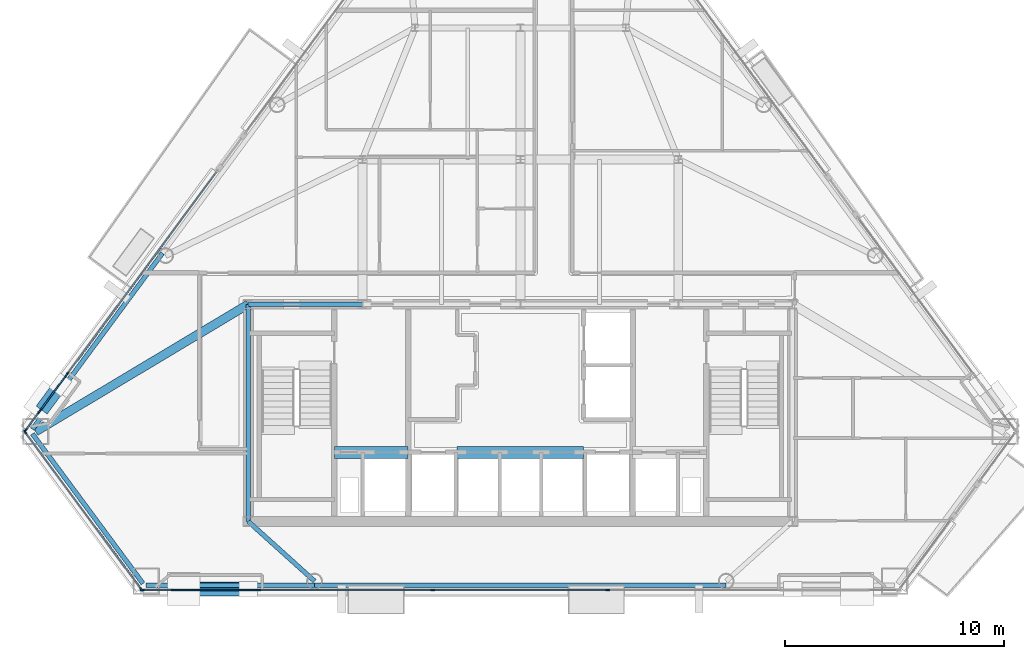
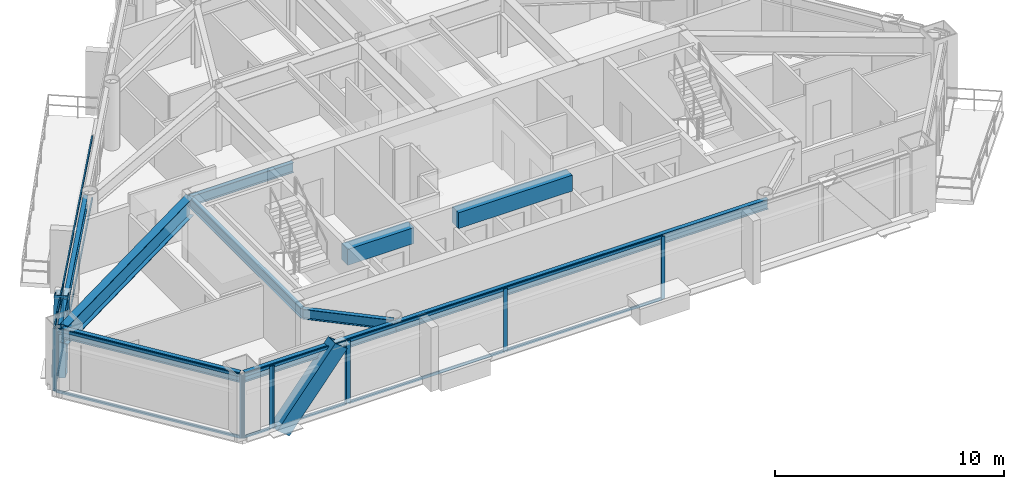
# One storey, part 3 of 13: 32 members, 10 beams, 7 elements without a shape of their own.
"""IFC4 building model written with IfcOpenShell, lengths in metres."""

from ifc_helpers import new_model, si_unit, direction, frame, origin, origin_2d, place, context, subcontext, project, spatial, rectangle, hollow_rectangle, i_section, extrude, material, layer, layer_set, material_profile, profile_set, type_object, element, aggregate, save


model = new_model("IFC4")

# Units and contexts
model_context = context("Model", 3, precision=1e-05, world=origin(), true_north=direction((0.0, 1.0)))
body_context = subcontext(model_context, "Body", "Model", "MODEL_VIEW")
ifc_project = project(units=[si_unit("LENGTHUNIT", "METRE"), si_unit("AREAUNIT", "SQUARE_METRE"), si_unit("VOLUMEUNIT", "CUBIC_METRE"), si_unit("PLANEANGLEUNIT", "RADIAN"), si_unit("MASSUNIT", "GRAM", prefix="KILO")], contexts=[model_context])

# Site, building, storey
site_placement = place(None, origin())
site = spatial("IfcSite", under=ifc_project, at=site_placement, CompositionType="ELEMENT")
building_placement = place(site_placement, origin())
building = spatial("IfcBuilding", under=site, at=building_placement, Name="Talgorran Terracotta Tower", CompositionType="ELEMENT")
storey_placement = place(building_placement, frame((0.0, 0.0, 132.89990234375)))
storey = spatial("IfcBuildingStorey", under=building, at=storey_placement, Name="L34", CompositionType="ELEMENT", Elevation=132.89990234375)

# Beams
ifc_material_1 = material(Name="Steel Grade 350 (350L0)", Category="steel")
ifc_material_profile_1 = material_profile(ifc_material_1, i_section(OverallWidth=0.39990234375, OverallDepth=1.0, WebThickness=0.01611328125, FlangeThickness=0.031005859375, at=origin_2d()), Name="1000WB296")
ifc_profile_set_1 = profile_set([ifc_material_profile_1], Name="Steel Grade 350 (350L0)")
beam_type_1 = type_object("IfcBeamType", Name="BM_1000WB296", PredefinedType="BEAM", material=ifc_profile_set_1)
beam_1_placement = place(storey_placement, frame((-12.39990234375, -4.199951171875, 2.85009765625), z_axis=(-0.858174722871, -0.513357716436, 0.0), x_axis=(0.513357716436, -0.858174722871, 0.0)))
element("IfcBeam", 1, at=beam_1_placement, inside=storey, type_object=beam_type_1, Name="L34 Floor Girder G17", PredefinedType="BEAM", context=body_context, shape_type="SweptSolid", body=[
    extrude(i_section(OverallWidth=0.39990234375, OverallDepth=1.0, WebThickness=0.01611328125, FlangeThickness=0.031005859375, at=origin_2d()), origin(), (0.0, 0.0, 1.0), 11.298828125),
])
ifc_material_2 = material(Name="Concrete C50/60", Category="concrete")
ifc_material_profile_2 = material_profile(ifc_material_2, rectangle(XDim=0.550048828125, YDim=0.85009765625, at=origin_2d()), Name="RCCB550X850")
ifc_profile_set_2 = profile_set([ifc_material_profile_2], Name="Concrete C50/60")
beam_type_2 = type_object("IfcBeamType", Name="BM_CB_550X850", PredefinedType="LINTEL", material=ifc_profile_set_2)
beam_2_placement = place(storey_placement, frame((-8.47998046875, -10.949951171875, 2.925048828125), z_axis=(1.0, 0.0, 0.0), x_axis=(0.0, 1.0, 0.0)))
element("IfcBeam", 2, at=beam_2_placement, inside=storey, type_object=beam_type_2, Name="L34 Core Shear-Wall Coupling Beam CB1", PredefinedType="LINTEL", context=body_context, shape_type="SweptSolid", body=[
    extrude(rectangle(XDim=0.550048828125, YDim=0.85009765625, at=origin_2d()), origin(), (0.0, 0.0, 1.0), 3.35986328125),
])
beam_3_placement = place(storey_placement, frame((-2.8798828125, -10.949951171875, 2.925048828125), z_axis=(1.0, 0.0, 0.0), x_axis=(0.0, 1.0, 0.0)))
element("IfcBeam", 3, at=beam_3_placement, inside=storey, type_object=beam_type_2, Name="L34 Core Shear-Wall Coupling Beam CB2", PredefinedType="LINTEL", context=body_context, shape_type="SweptSolid", body=[
    extrude(rectangle(XDim=0.550048828125, YDim=0.85009765625, at=origin_2d()), origin(), (0.0, 0.0, 1.0), 5.759765625),
])
ifc_material_3 = material(Name="Steel S355 (300PLUS)", Category="steel")
ifc_material_profile_3 = material_profile(ifc_material_3, i_section(OverallWidth=0.209228515625, OverallDepth=0.532958984375, WebThickness=0.01025390625, FlangeThickness=0.015625, at=origin_2d()), Name="530UB92.4")
ifc_profile_set_3 = profile_set([ifc_material_profile_3], Name="Steel S355 (300PLUS)")
beam_type_3 = type_object("IfcBeamType", Name="BM_SP_530UB92", PredefinedType="SPANDREL", material=ifc_profile_set_3)
beam_4_placement = place(storey_placement, frame((-22.2412109375, -10.107177734375, 3.08349609375), z_axis=(0.594369201234, -0.804192298288, 0.0), x_axis=(0.804192298288, 0.594369201234, 0.0)))
element("IfcBeam", 4, at=beam_4_placement, inside=storey, type_object=beam_type_3, Name="L34 Perimeter Spandrel Beam MC1-MC2", PredefinedType="SPANDREL", context=body_context, shape_type="SweptSolid", body=[
    extrude(i_section(OverallWidth=0.209228515625, OverallDepth=0.532958984375, WebThickness=0.01025390625, FlangeThickness=0.015625, at=origin_2d()), origin(), (0.0, 0.0, 1.0), 8.478759765625),
])
beam_5_placement = place(storey_placement, frame((-17.056884765625, -16.998779296875, 3.08349609375), z_axis=(1.0, 0.0, 0.0), x_axis=(0.0, 1.0, 0.0)))
element("IfcBeam", 5, at=beam_5_placement, inside=storey, type_object=beam_type_3, Name="L34 Perimeter Spandrel Beam MC2-FC1", PredefinedType="SPANDREL", context=body_context, shape_type="SweptSolid", body=[
    extrude(i_section(OverallWidth=0.209228515625, OverallDepth=0.532958984375, WebThickness=0.01025390625, FlangeThickness=0.015625, at=origin_2d()), origin(), (0.0, 0.0, 1.0), 7.67578125),
])
beam_6_placement = place(storey_placement, frame((-9.381103515625, -16.998779296875, 3.08349609375), z_axis=(1.0, 0.0, 0.0), x_axis=(0.0, 1.0, 0.0)))
element("IfcBeam", 6, at=beam_6_placement, inside=storey, type_object=beam_type_3, Name="L34 Perimeter Spandrel Beam FC1-FC2", PredefinedType="SPANDREL", context=body_context, shape_type="SweptSolid", body=[
    extrude(i_section(OverallWidth=0.209228515625, OverallDepth=0.532958984375, WebThickness=0.01025390625, FlangeThickness=0.015625, at=origin_2d()), origin(), (0.0, 0.0, 1.0), 18.76220703125),
])
beam_7_placement = place(storey_placement, frame((-16.31396484375, -1.873291015625, 3.08349609375), z_axis=(-0.594352513119, -0.804204632011, 0.0), x_axis=(0.804204632011, -0.594352513119, 0.0)))
element("IfcBeam", 7, at=beam_7_placement, inside=storey, type_object=beam_type_3, Name="L34 Perimeter Spandrel Beam FC6-MC1", PredefinedType="SPANDREL", context=body_context, shape_type="SweptSolid", body=[
    extrude(i_section(OverallWidth=0.209228515625, OverallDepth=0.532958984375, WebThickness=0.01025390625, FlangeThickness=0.015625, at=origin_2d()), origin(), (0.0, 0.0, 1.0), 9.97265625),
])
beam_8_placement = place(storey_placement, frame((-9.381103515625, -16.81884765625, 3.08349609375), z_axis=(-0.74306999476, 0.669213704945, 0.0), x_axis=(-0.669213704945, -0.74306999476, 0.0)))
element("IfcBeam", 8, at=beam_8_placement, inside=storey, type_object=beam_type_3, Name="L34 South-West Core Tie Beam", PredefinedType="SPANDREL", context=body_context, shape_type="SweptSolid", body=[
    extrude(i_section(OverallWidth=0.209228515625, OverallDepth=0.532958984375, WebThickness=0.01025390625, FlangeThickness=0.015625, at=origin_2d()), origin(), (0.0, 0.0, 1.0), 4.0625),
])
beam_9_placement = place(storey_placement, frame((-12.39990234375, -14.10009765625, 3.08349609375), z_axis=(0.0, 1.0, 0.0), x_axis=(-1.0, 0.0, 0.0)))
element("IfcBeam", 9, at=beam_9_placement, inside=storey, type_object=beam_type_3, Name="L34 Core Frame Beam CFW", PredefinedType="SPANDREL", context=body_context, shape_type="SweptSolid", body=[
    extrude(i_section(OverallWidth=0.209228515625, OverallDepth=0.532958984375, WebThickness=0.01025390625, FlangeThickness=0.015625, at=origin_2d()), origin(), (0.0, 0.0, 1.0), 9.900146484375),
])
beam_10_placement = place(storey_placement, frame((-12.39990234375, -4.199951171875, 3.08349609375), z_axis=(1.0, 0.0, 0.0), x_axis=(0.0, 1.0, 0.0)))
element("IfcBeam", 10, at=beam_10_placement, inside=storey, type_object=beam_type_3, Name="L34 Core Frame Beam CFN1", PredefinedType="SPANDREL", context=body_context, shape_type="SweptSolid", body=[
    extrude(i_section(OverallWidth=0.209228515625, OverallDepth=0.532958984375, WebThickness=0.01025390625, FlangeThickness=0.015625, at=origin_2d()), origin(), (0.0, 0.0, 1.0), 5.199951171875),
])

# Members
ifc_material_profile_4 = material_profile(ifc_material_1, hollow_rectangle(XDim=0.6201171875, YDim=0.780029296875, WallThickness=0.0419921875, at=origin_2d()), Name="WBOX780X620X42")
ifc_profile_set_4 = profile_set([ifc_material_profile_4], Name="Steel Grade 350 (350L0)")
member_type_1 = type_object("IfcMemberType", Name="MB_MEGA_780", PredefinedType="BRACE", material=ifc_profile_set_4)
member_1_placement = place(storey_placement, frame((-15.34228515625, -17.178955078125, -0.27001953125), z_axis=(0.626602917494, 0.0, 0.779338683621), x_axis=(0.0, 1.0, 0.0)))
element("IfcMember", 11, at=member_1_placement, inside=storey, type_object=member_type_1, Name="L34 Exterior Face Mega-Brace MB-2 (SWF)", PredefinedType="BRACE", context=body_context, shape_type="SweptSolid", body=[
    extrude(hollow_rectangle(XDim=0.6201171875, YDim=0.780029296875, WallThickness=0.0419921875, at=origin_2d()), origin(), (0.0, 0.0, 1.0), 4.677001953125),
])
member_2_placement = place(storey_placement, frame((-21.597900390625, -8.72021484375, -0.27001953125), z_axis=(0.167533039837, 0.226719050459, 0.959443147207), x_axis=(-0.804247199426, 0.594294911821, 0.0)))
element("IfcMember", 12, at=member_2_placement, inside=storey, type_object=member_type_1, Name="L34 Exterior Face Mega-Brace MB-2 (NWL)", PredefinedType="BRACE", context=body_context, shape_type="SweptSolid", body=[
    extrude(hollow_rectangle(XDim=0.6201171875, YDim=0.780029296875, WallThickness=0.0419921875, at=origin_2d()), origin(), (0.0, 0.0, 1.0), 3.799072265625),
])

# Curtain wall, members
ifc_material_4 = material(Name="Unitised Low-E Double Glazing", Category="glass")
ifc_layer = layer(ifc_material_4, 0.199951171875, Name="CW_SYS2_RES_LOW")
ifc_layer_set = layer_set([ifc_layer], Name="Unitised Low-E Double Glazing")
curtain_wall_type = type_object("IfcCurtainWallType", Name="CW_SYS2_RES_LOW", PredefinedType="NOTDEFINED", material=ifc_layer_set)
curtain_wall_1_placement = place(storey_placement, origin())
curtain_wall_1 = element("IfcCurtainWall", 13, at=curtain_wall_1_placement, inside=storey, type_object=curtain_wall_type, Name="CW-L34-F0", PredefinedType="NOTDEFINED")
ifc_material_5 = material(Name="Architectural Aluminium 6063-T6", Category="aluminium")
ifc_material_profile_5 = material_profile(ifc_material_5, rectangle(XDim=0.06494140625, YDim=0.18505859375, at=origin_2d()), Name="CWM65X185")
ifc_profile_set_5 = profile_set([ifc_material_profile_5], Name="Architectural Aluminium 6063-T6")
member_type_2 = type_object("IfcMemberType", Name="MUL_65X185", PredefinedType="MULLION", material=ifc_profile_set_5)
member_3_placement = place(storey_placement, frame((-22.574462890625, -10.0263671875, 0.0), z_axis=(0.0, 0.0, 1.0), x_axis=(0.80420068261, 0.594357856926, 0.0)))
member_3 = element("IfcMember", 14, at=member_3_placement, type_object=member_type_2, Name="CW-L34-0 mullion 1", PredefinedType="MULLION", context=body_context, shape_type="SweptSolid", body=[
    extrude(rectangle(XDim=0.06494140625, YDim=0.18505859375, at=origin_2d()), origin(), (0.0, 0.0, 1.0), 3.35009765625),
])
member_4_placement = place(storey_placement, frame((-17.27783203125, -17.19287109375, 0.0), z_axis=(0.0, 0.0, 1.0), x_axis=(0.80420068261, 0.594357856926, 0.0)))
member_4 = element("IfcMember", 15, at=member_4_placement, type_object=member_type_2, Name="CW-L34-0 mullion 2", PredefinedType="MULLION", context=body_context, shape_type="SweptSolid", body=[
    extrude(rectangle(XDim=0.06494140625, YDim=0.18505859375, at=origin_2d()), origin(), (0.0, 0.0, 1.0), 3.35009765625),
])

curtain_wall_2_placement = place(storey_placement, origin())
curtain_wall_2 = element("IfcCurtainWall", 16, at=curtain_wall_2_placement, inside=storey, type_object=curtain_wall_type, Name="CW-L34-F1", PredefinedType="NOTDEFINED")
member_5_placement = place(storey_placement, frame((-17.22607421875, -17.218994140625, 0.0), z_axis=(0.0, 0.0, 1.0), x_axis=(0.0, 1.0, 0.0)))
member_5 = element("IfcMember", 17, at=member_5_placement, type_object=member_type_2, Name="CW-L34-1 mullion 1", PredefinedType="MULLION", context=body_context, shape_type="SweptSolid", body=[
    extrude(rectangle(XDim=0.06494140625, YDim=0.18505859375, at=origin_2d()), origin(), (0.0, 0.0, 1.0), 3.35009765625),
])
member_6_placement = place(storey_placement, frame((-15.81298828125, -17.218994140625, 0.0), z_axis=(0.0, 0.0, 1.0), x_axis=(0.0, 1.0, 0.0)))
member_6 = element("IfcMember", 18, at=member_6_placement, type_object=member_type_2, Name="CW-L34-1 mullion 2", PredefinedType="MULLION", context=body_context, shape_type="SweptSolid", body=[
    extrude(rectangle(XDim=0.06494140625, YDim=0.18505859375, at=origin_2d()), origin(), (0.0, 0.0, 1.0), 3.35009765625),
])

curtain_wall_3_placement = place(storey_placement, origin())
curtain_wall_3 = element("IfcCurtainWall", 19, at=curtain_wall_3_placement, inside=storey, type_object=curtain_wall_type, Name="CW-L34-F1B", PredefinedType="NOTDEFINED")
member_7_placement = place(storey_placement, frame((-15.738037109375, -17.218994140625, 0.0), z_axis=(0.0, 0.0, 1.0), x_axis=(0.0, 1.0, 0.0)))
member_7 = element("IfcMember", 20, at=member_7_placement, type_object=member_type_2, Name="CW-L34-1B mullion 1", PredefinedType="MULLION", context=body_context, shape_type="SweptSolid", body=[
    extrude(rectangle(XDim=0.06494140625, YDim=0.18505859375, at=origin_2d()), origin(), (0.0, 0.0, 1.0), 3.35009765625),
])
member_8_placement = place(storey_placement, frame((-11.9951171875, -17.218994140625, 0.0), z_axis=(0.0, 0.0, 1.0), x_axis=(0.0, 1.0, 0.0)))
member_8 = element("IfcMember", 21, at=member_8_placement, type_object=member_type_2, Name="CW-L34-1B mullion 2", PredefinedType="MULLION", context=body_context, shape_type="SweptSolid", body=[
    extrude(rectangle(XDim=0.06494140625, YDim=0.18505859375, at=origin_2d()), origin(), (0.0, 0.0, 1.0), 3.35009765625),
])

curtain_wall_4_placement = place(storey_placement, origin())
curtain_wall_4 = element("IfcCurtainWall", 22, at=curtain_wall_4_placement, inside=storey, type_object=curtain_wall_type, Name="CW-L34-F1C", PredefinedType="NOTDEFINED")
member_9_placement = place(storey_placement, frame((-11.920166015625, -17.218994140625, 0.0), z_axis=(0.0, 0.0, 1.0), x_axis=(0.0, 1.0, 0.0)))
member_9 = element("IfcMember", 23, at=member_9_placement, type_object=member_type_2, Name="CW-L34-1C mullion 1", PredefinedType="MULLION", context=body_context, shape_type="SweptSolid", body=[
    extrude(rectangle(XDim=0.06494140625, YDim=0.18505859375, at=origin_2d()), origin(), (0.0, 0.0, 1.0), 3.35009765625),
])
member_10_placement = place(storey_placement, frame((-3.984130859375, -17.218994140625, 0.0), z_axis=(0.0, 0.0, 1.0), x_axis=(0.0, 1.0, 0.0)))
member_10 = element("IfcMember", 24, at=member_10_placement, type_object=member_type_2, Name="CW-L34-1C mullion 2", PredefinedType="MULLION", context=body_context, shape_type="SweptSolid", body=[
    extrude(rectangle(XDim=0.06494140625, YDim=0.18505859375, at=origin_2d()), origin(), (0.0, 0.0, 1.0), 3.35009765625),
])
member_11_placement = place(storey_placement, frame((3.984130859375, -17.218994140625, 0.0), z_axis=(0.0, 0.0, 1.0), x_axis=(0.0, 1.0, 0.0)))
member_11 = element("IfcMember", 25, at=member_11_placement, type_object=member_type_2, Name="CW-L34-1C mullion 3", PredefinedType="MULLION", context=body_context, shape_type="SweptSolid", body=[
    extrude(rectangle(XDim=0.06494140625, YDim=0.18505859375, at=origin_2d()), origin(), (0.0, 0.0, 1.0), 3.35009765625),
])

# Curtain wall, member
curtain_wall_5_placement = place(storey_placement, origin())
curtain_wall_5 = element("IfcCurtainWall", 26, at=curtain_wall_5_placement, inside=storey, type_object=curtain_wall_type, Name="CW-L34-F61", PredefinedType="NOTDEFINED")
member_12_placement = place(storey_placement, frame((-20.65966796875, -7.383544921875, 0.0), z_axis=(0.0, 0.0, 1.0), x_axis=(0.804197899578, -0.594361622512, 0.0)))
member_12 = element("IfcMember", 27, at=member_12_placement, type_object=member_type_2, Name="CW-L34-61 mullion 2", PredefinedType="MULLION", context=body_context, shape_type="SweptSolid", body=[
    extrude(rectangle(XDim=0.06494140625, YDim=0.18505859375, at=origin_2d()), origin(), (0.0, 0.0, 1.0), 3.35009765625),
])

# Curtain wall, members
curtain_wall_6_placement = place(storey_placement, origin())
curtain_wall_6 = element("IfcCurtainWall", 28, at=curtain_wall_6_placement, inside=storey, type_object=curtain_wall_type, Name="CW-L34-F61B", PredefinedType="NOTDEFINED")
member_13_placement = place(storey_placement, frame((-20.704345703125, -7.44384765625, 0.0), z_axis=(0.0, 0.0, 1.0), x_axis=(0.804210403397, -0.594344703912, 0.0)))
member_13 = element("IfcMember", 29, at=member_13_placement, type_object=member_type_2, Name="CW-L34-61B mullion 1", PredefinedType="MULLION", context=body_context, shape_type="SweptSolid", body=[
    extrude(rectangle(XDim=0.06494140625, YDim=0.18505859375, at=origin_2d()), origin(), (0.0, 0.0, 1.0), 3.35009765625),
])
member_14_placement = place(storey_placement, frame((-21.891357421875, -9.050048828125, 0.0), z_axis=(0.0, 0.0, 1.0), x_axis=(0.804210403397, -0.594344703912, 0.0)))
member_14 = element("IfcMember", 30, at=member_14_placement, type_object=member_type_2, Name="CW-L34-61B mullion 2", PredefinedType="MULLION", context=body_context, shape_type="SweptSolid", body=[
    extrude(rectangle(XDim=0.06494140625, YDim=0.18505859375, at=origin_2d()), origin(), (0.0, 0.0, 1.0), 3.35009765625),
])

curtain_wall_7_placement = place(storey_placement, origin())
curtain_wall_7 = element("IfcCurtainWall", 31, at=curtain_wall_7_placement, inside=storey, type_object=curtain_wall_type, Name="CW-L34-F61C", PredefinedType="NOTDEFINED")
member_15_placement = place(storey_placement, frame((-21.93603515625, -9.1103515625, 0.0), z_axis=(0.0, 0.0, 1.0), x_axis=(0.804183704636, -0.594380828424, 0.0)))
member_15 = element("IfcMember", 32, at=member_15_placement, type_object=member_type_2, Name="CW-L34-61C mullion 1", PredefinedType="MULLION", context=body_context, shape_type="SweptSolid", body=[
    extrude(rectangle(XDim=0.06494140625, YDim=0.18505859375, at=origin_2d()), origin(), (0.0, 0.0, 1.0), 3.35009765625),
])
member_16_placement = place(storey_placement, frame((-22.550537109375, -9.94189453125, 0.0), z_axis=(0.0, 0.0, 1.0), x_axis=(0.804183704636, -0.594380828424, 0.0)))
member_16 = element("IfcMember", 33, at=member_16_placement, type_object=member_type_2, Name="CW-L34-61C mullion 2", PredefinedType="MULLION", context=body_context, shape_type="SweptSolid", body=[
    extrude(rectangle(XDim=0.06494140625, YDim=0.18505859375, at=origin_2d()), origin(), (0.0, 0.0, 1.0), 3.35009765625),
])

# Member
ifc_material_profile_6 = material_profile(ifc_material_5, rectangle(XDim=0.06494140625, YDim=0.14990234375, at=origin_2d()), Name="CWT65X150")
ifc_profile_set_6 = profile_set([ifc_material_profile_6], Name="Architectural Aluminium 6063-T6")
member_type_3 = type_object("IfcMemberType", Name="TRN_65X150", PredefinedType="USERDEFINED", material=ifc_profile_set_6)
member_17_placement = place(storey_placement, frame((-22.55517578125, -10.052490234375, 0.03271484375), z_axis=(0.59436855771, -0.804192773908, 0.0), x_axis=(0.804192773908, 0.59436855771, 0.0)))
member_17 = element("IfcMember", 34, at=member_17_placement, type_object=member_type_3, Name="CW-L34-0 transom 1.1", ObjectType="TRANSOM", PredefinedType="USERDEFINED", context=body_context, shape_type="SweptSolid", body=[
    extrude(rectangle(XDim=0.06494140625, YDim=0.14990234375, at=origin_2d()), origin(), (0.0, 0.0, 1.0), 8.846435546875),
])

member_18_placement = place(storey_placement, frame((-22.55517578125, -10.052490234375, 3.317626953125), z_axis=(0.59436855771, -0.804192773908, 0.0), x_axis=(0.804192773908, 0.59436855771, 0.0)))
member_18 = element("IfcMember", 35, at=member_18_placement, type_object=member_type_3, Name="CW-L34-0 transom 1.2", ObjectType="TRANSOM", PredefinedType="USERDEFINED", context=body_context, shape_type="SweptSolid", body=[
    extrude(rectangle(XDim=0.06494140625, YDim=0.14990234375, at=origin_2d()), origin(), (0.0, 0.0, 1.0), 8.846435546875),
])

aggregate(curtain_wall_1, [member_3, member_4, member_17, member_18])

member_19_placement = place(storey_placement, frame((-17.193603515625, -17.218994140625, 0.03271484375), z_axis=(1.0, 0.0, 0.0), x_axis=(0.0, 1.0, 0.0)))
member_19 = element("IfcMember", 36, at=member_19_placement, type_object=member_type_3, Name="CW-L34-1 transom 1.1", ObjectType="TRANSOM", PredefinedType="USERDEFINED", context=body_context, shape_type="SweptSolid", body=[
    extrude(rectangle(XDim=0.06494140625, YDim=0.14990234375, at=origin_2d()), origin(), (0.0, 0.0, 1.0), 1.34814453125),
])

member_20_placement = place(storey_placement, frame((-17.193603515625, -17.218994140625, 3.317626953125), z_axis=(1.0, 0.0, 0.0), x_axis=(0.0, 1.0, 0.0)))
member_20 = element("IfcMember", 37, at=member_20_placement, type_object=member_type_3, Name="CW-L34-1 transom 1.2", ObjectType="TRANSOM", PredefinedType="USERDEFINED", context=body_context, shape_type="SweptSolid", body=[
    extrude(rectangle(XDim=0.06494140625, YDim=0.14990234375, at=origin_2d()), origin(), (0.0, 0.0, 1.0), 1.34814453125),
])

aggregate(curtain_wall_2, [member_5, member_6, member_19, member_20])

member_21_placement = place(storey_placement, frame((-15.70556640625, -17.218994140625, 0.03271484375), z_axis=(1.0, 0.0, 0.0), x_axis=(0.0, 1.0, 0.0)))
member_21 = element("IfcMember", 38, at=member_21_placement, type_object=member_type_3, Name="CW-L34-1B transom 1.1", ObjectType="TRANSOM", PredefinedType="USERDEFINED", context=body_context, shape_type="SweptSolid", body=[
    extrude(rectangle(XDim=0.06494140625, YDim=0.14990234375, at=origin_2d()), origin(), (0.0, 0.0, 1.0), 3.677978515625),
])

member_22_placement = place(storey_placement, frame((-15.70556640625, -17.218994140625, 3.317626953125), z_axis=(1.0, 0.0, 0.0), x_axis=(0.0, 1.0, 0.0)))
member_22 = element("IfcMember", 39, at=member_22_placement, type_object=member_type_3, Name="CW-L34-1B transom 1.2", ObjectType="TRANSOM", PredefinedType="USERDEFINED", context=body_context, shape_type="SweptSolid", body=[
    extrude(rectangle(XDim=0.06494140625, YDim=0.14990234375, at=origin_2d()), origin(), (0.0, 0.0, 1.0), 3.677978515625),
])

aggregate(curtain_wall_3, [member_7, member_8, member_21, member_22])

member_23_placement = place(storey_placement, frame((-11.8876953125, -17.218994140625, 0.03271484375), z_axis=(1.0, 0.0, 0.0), x_axis=(0.0, 1.0, 0.0)))
member_23 = element("IfcMember", 40, at=member_23_placement, type_object=member_type_3, Name="CW-L34-1C transom 1.1", ObjectType="TRANSOM", PredefinedType="USERDEFINED", context=body_context, shape_type="SweptSolid", body=[
    extrude(rectangle(XDim=0.06494140625, YDim=0.14990234375, at=origin_2d()), origin(), (0.0, 0.0, 1.0), 7.870849609375),
])

member_24_placement = place(storey_placement, frame((-11.8876953125, -17.218994140625, 3.317626953125), z_axis=(1.0, 0.0, 0.0), x_axis=(0.0, 1.0, 0.0)))
member_24 = element("IfcMember", 41, at=member_24_placement, type_object=member_type_3, Name="CW-L34-1C transom 1.2", ObjectType="TRANSOM", PredefinedType="USERDEFINED", context=body_context, shape_type="SweptSolid", body=[
    extrude(rectangle(XDim=0.06494140625, YDim=0.14990234375, at=origin_2d()), origin(), (0.0, 0.0, 1.0), 7.870849609375),
])

member_25_placement = place(storey_placement, frame((-3.95166015625, -17.218994140625, 0.03271484375), z_axis=(1.0, 0.0, 0.0), x_axis=(0.0, 1.0, 0.0)))
member_25 = element("IfcMember", 42, at=member_25_placement, type_object=member_type_3, Name="CW-L34-1C transom 2.1", ObjectType="TRANSOM", PredefinedType="USERDEFINED", context=body_context, shape_type="SweptSolid", body=[
    extrude(rectangle(XDim=0.06494140625, YDim=0.14990234375, at=origin_2d()), origin(), (0.0, 0.0, 1.0), 7.9033203125),
])

member_26_placement = place(storey_placement, frame((-3.95166015625, -17.218994140625, 3.317626953125), z_axis=(1.0, 0.0, 0.0), x_axis=(0.0, 1.0, 0.0)))
member_26 = element("IfcMember", 43, at=member_26_placement, type_object=member_type_3, Name="CW-L34-1C transom 2.2", ObjectType="TRANSOM", PredefinedType="USERDEFINED", context=body_context, shape_type="SweptSolid", body=[
    extrude(rectangle(XDim=0.06494140625, YDim=0.14990234375, at=origin_2d()), origin(), (0.0, 0.0, 1.0), 7.9033203125),
])

aggregate(curtain_wall_4, [member_9, member_10, member_11, member_23, member_24, member_25, member_26])

member_27_placement = place(storey_placement, frame((-13.8486328125, 1.832275390625, 0.03271484375), z_axis=(-0.594355016717, -0.804202781705, 0.0), x_axis=(0.804202781705, -0.594355016717, 0.0)))
member_27 = element("IfcMember", 44, at=member_27_placement, type_object=member_type_3, Name="CW-L34-61 transom 1.1", ObjectType="TRANSOM", PredefinedType="USERDEFINED", context=body_context, shape_type="SweptSolid", body=[
    extrude(rectangle(XDim=0.06494140625, YDim=0.14990234375, at=origin_2d()), origin(), (0.0, 0.0, 1.0), 11.427001953125),
])

member_28_placement = place(storey_placement, frame((-13.8486328125, 1.832275390625, 3.317626953125), z_axis=(-0.594355016717, -0.804202781705, 0.0), x_axis=(0.804202781705, -0.594355016717, 0.0)))
member_28 = element("IfcMember", 45, at=member_28_placement, type_object=member_type_3, Name="CW-L34-61 transom 1.2", ObjectType="TRANSOM", PredefinedType="USERDEFINED", context=body_context, shape_type="SweptSolid", body=[
    extrude(rectangle(XDim=0.06494140625, YDim=0.14990234375, at=origin_2d()), origin(), (0.0, 0.0, 1.0), 11.427001953125),
])

aggregate(curtain_wall_5, [member_12, member_27, member_28])

member_29_placement = place(storey_placement, frame((-20.7236328125, -7.469970703125, 0.03271484375), z_axis=(-0.594344876364, -0.804210275948, 0.0), x_axis=(0.804210275948, -0.594344876364, 0.0)))
member_29 = element("IfcMember", 46, at=member_29_placement, type_object=member_type_3, Name="CW-L34-61B transom 1.1", ObjectType="TRANSOM", PredefinedType="USERDEFINED", context=body_context, shape_type="SweptSolid", body=[
    extrude(rectangle(XDim=0.06494140625, YDim=0.14990234375, at=origin_2d()), origin(), (0.0, 0.0, 1.0), 1.932373046875),
])

member_30_placement = place(storey_placement, frame((-20.7236328125, -7.469970703125, 3.317626953125), z_axis=(-0.594344876364, -0.804210275948, 0.0), x_axis=(0.804210275948, -0.594344876364, 0.0)))
member_30 = element("IfcMember", 47, at=member_30_placement, type_object=member_type_3, Name="CW-L34-61B transom 1.2", ObjectType="TRANSOM", PredefinedType="USERDEFINED", context=body_context, shape_type="SweptSolid", body=[
    extrude(rectangle(XDim=0.06494140625, YDim=0.14990234375, at=origin_2d()), origin(), (0.0, 0.0, 1.0), 1.932373046875),
])

aggregate(curtain_wall_6, [member_13, member_14, member_29, member_30])

member_31_placement = place(storey_placement, frame((-21.955322265625, -9.136474609375, 0.03271484375), z_axis=(-0.594341471489, -0.804212792281, 0.0), x_axis=(0.804212792281, -0.594341471489, 0.0)))
member_31 = element("IfcMember", 48, at=member_31_placement, type_object=member_type_3, Name="CW-L34-61C transom 1.1", ObjectType="TRANSOM", PredefinedType="USERDEFINED", context=body_context, shape_type="SweptSolid", body=[
    extrude(rectangle(XDim=0.06494140625, YDim=0.14990234375, at=origin_2d()), origin(), (0.0, 0.0, 1.0), 0.968994140625),
])

member_32_placement = place(storey_placement, frame((-21.955322265625, -9.136474609375, 3.317626953125), z_axis=(-0.594341471489, -0.804212792281, 0.0), x_axis=(0.804212792281, -0.594341471489, 0.0)))
member_32 = element("IfcMember", 49, at=member_32_placement, type_object=member_type_3, Name="CW-L34-61C transom 1.2", ObjectType="TRANSOM", PredefinedType="USERDEFINED", context=body_context, shape_type="SweptSolid", body=[
    extrude(rectangle(XDim=0.06494140625, YDim=0.14990234375, at=origin_2d()), origin(), (0.0, 0.0, 1.0), 0.968994140625),
])

aggregate(curtain_wall_7, [member_15, member_16, member_31, member_32])

save(model, "model.ifc")
